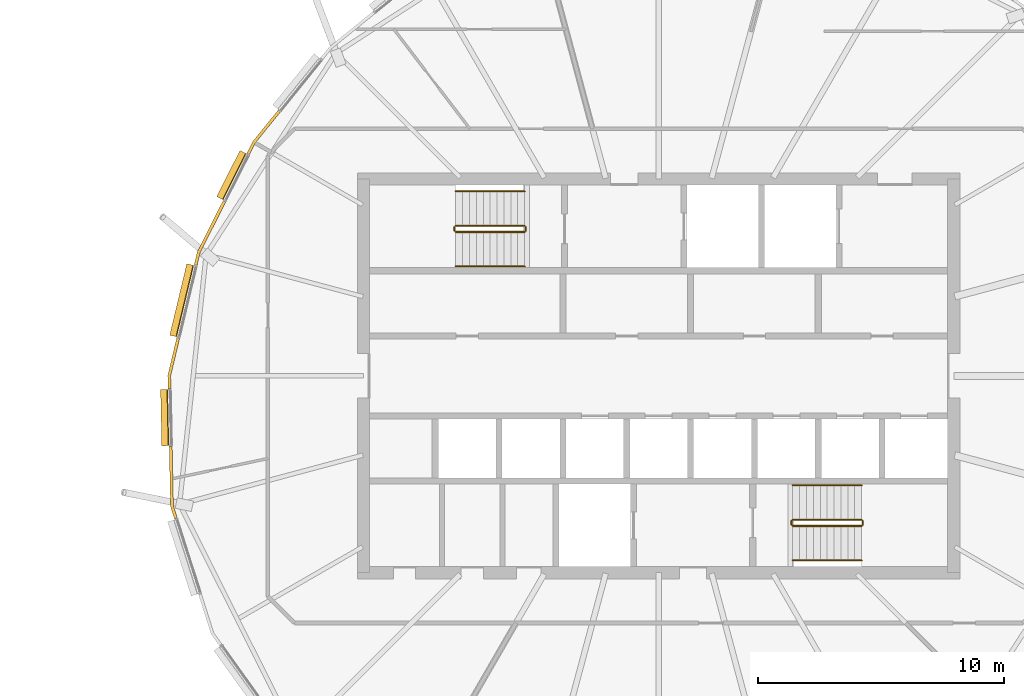
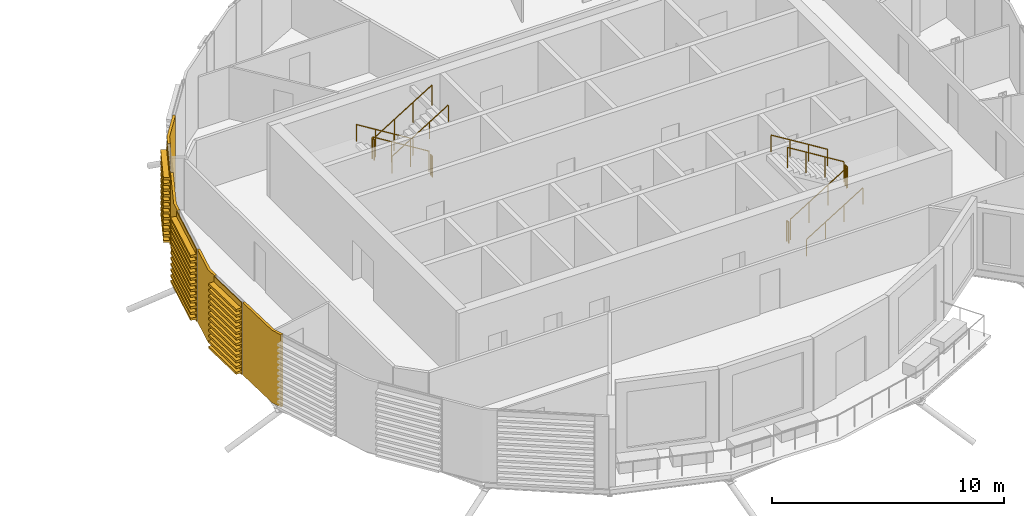
# One storey, part 38 of 41: 12 railings, 7 coverings.
"""IFC4 building model written with IfcOpenShell, lengths in metres."""

from ifc_helpers import new_model, si_unit, direction, frame, origin, origin_2d, place, context, subcontext, project, spatial, polyline, circle, outline, extrude, material, layer, layer_set, material_profile, profile_set, type_object, element, save


model = new_model("IFC4")

# Units and contexts
model_context = context("Model", 3, precision=1e-05, world=origin(), true_north=direction((0.0, 1.0)))
body_context = subcontext(model_context, "Body", "Model", "MODEL_VIEW")
ifc_project = project(units=[si_unit("LENGTHUNIT", "METRE"), si_unit("AREAUNIT", "SQUARE_METRE"), si_unit("VOLUMEUNIT", "CUBIC_METRE"), si_unit("PLANEANGLEUNIT", "RADIAN"), si_unit("MASSUNIT", "GRAM", prefix="KILO")], contexts=[model_context])

# Site, building, storey
site_placement = place(None, origin())
site = spatial("IfcSite", under=ifc_project, at=site_placement, CompositionType="ELEMENT")
building_placement = place(site_placement, origin())
building = spatial("IfcBuilding", under=site, at=building_placement, Name="Rimbun Link Towers", CompositionType="ELEMENT")
storey_placement = place(building_placement, frame((0.0, 0.0, 210.5)))
storey = spatial("IfcBuildingStorey", under=building, at=storey_placement, Name="L51", CompositionType="ELEMENT", Elevation=210.5)

# Coverings
ifc_material_1 = material(Name="Terracotta", Category="masonry")
ifc_layer = layer(ifc_material_1, 0.1201171875)
ifc_layer_set = layer_set([ifc_layer], Name="LINK PIER terracotta cladding 120")
covering_type_1 = type_object("IfcCoveringType", Name="LINK PIER terracotta cladding 120", PredefinedType="CLADDING", material=ifc_layer_set)
covering_1_placement = place(storey_placement, origin())
element("IfcCovering", 1, at=covering_1_placement, inside=storey, type_object=covering_type_1, Name="LINK PIER cladding", PredefinedType="CLADDING", context=body_context, shape_type="SweptSolid", body=[
    extrude(outline(polyline([(15.120361328125, 9.001708984375), (15.353759765625, 9.46630859375), (16.373046875, 10.7255859375), (16.27978515625, 10.801025390625), (15.252197265625, 9.53173828125), (15.01318359375, 9.0556640625), (15.120361328125, 9.001708984375)])), origin(), (0.0, 0.0, 1.0), 3.800048828125),
])
covering_2_placement = place(storey_placement, origin())
element("IfcCovering", 2, at=covering_2_placement, inside=storey, type_object=covering_type_1, Name="LINK PIER cladding", PredefinedType="CLADDING", context=body_context, shape_type="SweptSolid", body=[
    extrude(outline(polyline([(12.9873046875, 4.4892578125), (13.1083984375, 4.9951171875), (14.1494140625, 7.068359375), (14.042236328125, 7.1220703125), (12.994873046875, 5.036376953125), (12.87060546875, 4.51708984375), (12.9873046875, 4.4892578125)])), origin(), (0.0, 0.0, 1.0), 3.800048828125),
])
covering_3_placement = place(storey_placement, origin())
element("IfcCovering", 3, at=covering_3_placement, inside=storey, type_object=covering_type_1, Name="LINK PIER cladding", PredefinedType="CLADDING", context=body_context, shape_type="SweptSolid", body=[
    extrude(outline(polyline([(11.924560546875, -0.519775390625), (11.913818359375, 0.0), (12.27880859375, 1.52685546875), (12.162109375, 1.554931640625), (11.79345703125, 0.012939453125), (11.8046875, -0.5224609375), (11.924560546875, -0.519775390625)])), origin(), (0.0, 0.0, 1.0), 3.800048828125),
])
covering_4_placement = place(storey_placement, origin())
element("IfcCovering", 4, at=covering_4_placement, inside=storey, type_object=covering_type_1, Name="LINK PIER cladding", PredefinedType="CLADDING", context=body_context, shape_type="SweptSolid", body=[
    extrude(outline(polyline([(12.1826171875, -5.78076171875), (12.02490234375, -5.285400390625), (11.97412109375, -2.86572265625), (11.85400390625, -2.868408203125), (11.9052734375, -5.30517578125), (12.068359375, -5.817138671875), (12.1826171875, -5.78076171875)])), origin(), (0.0, 0.0, 1.0), 3.800048828125),
])

# Railings
ifc_material_2 = material(Name="Stainless steel grade 316", Category="steel")
railing_type_1 = type_object("IfcRailingType", Name="Stair guard", PredefinedType="GUARDRAIL", material=ifc_material_2)
railing_1_placement = place(storey_placement, frame((26.300048828125, 6.10009765625, 0.172607421875)))
element("IfcRailing", 5, at=railing_1_placement, inside=storey, type_object=railing_type_1, Name="L51 ST3 stair guard 1", PredefinedType="GUARDRAIL", context=body_context, shape_type="SweptSolid", body=[
    extrude(circle(Radius=0.02392578125, at=origin_2d()), frame((0.0, 0.0, 1.076171875), z_axis=(-0.851089632645, 0.0, 0.525020415988), x_axis=(0.0, -1.0, 0.0)), (0.0, 0.0, 1.0), 3.2900390625),
    extrude(circle(Radius=0.02099609375, at=origin_2d()), origin(), (0.0, 0.0, 1.0), 1.052001953125),
    extrude(circle(Radius=0.02099609375, at=origin_2d()), frame((-0.933349609375, 0.0, 0.57568359375)), (0.0, 0.0, 1.0), 1.052001953125),
    extrude(circle(Radius=0.02099609375, at=origin_2d()), frame((-1.86669921875, 0.0, 1.151611328125)), (0.0, 0.0, 1.0), 1.052001953125),
    extrude(circle(Radius=0.02099609375, at=origin_2d()), frame((-2.800048828125, 0.0, 1.727294921875)), (0.0, 0.0, 1.0), 1.052001953125),
])
railing_2_placement = place(storey_placement, frame((23.449951171875, 6.050048828125, 1.89990234375)))
element("IfcRailing", 6, at=railing_2_placement, inside=storey, type_object=railing_type_1, Name="L51 ST3 stair guard 2", PredefinedType="GUARDRAIL", context=body_context, shape_type="SweptSolid", body=[
    extrude(circle(Radius=0.02392578125, at=origin_2d()), frame((0.0, 0.0, 1.076171875), z_axis=(0.0, -1.0, 0.0), x_axis=(1.0, 0.0, 0.0)), (0.0, 0.0, 1.0), 0.150146484375),
    extrude(circle(Radius=0.02099609375, at=origin_2d()), origin(), (0.0, 0.0, 1.0), 1.052001953125),
    extrude(circle(Radius=0.02099609375, at=origin_2d()), frame((0.0, -0.150146484375, 0.0)), (0.0, 0.0, 1.0), 1.052001953125),
])
railing_3_placement = place(storey_placement, frame((23.5, 5.85009765625, 2.07275390625)))
element("IfcRailing", 7, at=railing_3_placement, inside=storey, type_object=railing_type_1, Name="L51 ST3 stair guard 3", PredefinedType="GUARDRAIL", context=body_context, shape_type="SweptSolid", body=[
    extrude(circle(Radius=0.02392578125, at=origin_2d()), frame((0.0, 0.0, 1.076171875), z_axis=(0.851089632645, 0.0, 0.525020415988), x_axis=(0.0, 1.0, 0.0)), (0.0, 0.0, 1.0), 3.2900390625),
    extrude(circle(Radius=0.02099609375, at=origin_2d()), origin(), (0.0, 0.0, 1.0), 1.052001953125),
    extrude(circle(Radius=0.02099609375, at=origin_2d()), frame((0.933349609375, 0.0, 0.57568359375)), (0.0, 0.0, 1.0), 1.052001953125),
    extrude(circle(Radius=0.02099609375, at=origin_2d()), frame((1.86669921875, 0.0, 1.151611328125)), (0.0, 0.0, 1.0), 1.052001953125),
    extrude(circle(Radius=0.02099609375, at=origin_2d()), frame((2.800048828125, 0.0, 1.727294921875)), (0.0, 0.0, 1.0), 1.052001953125),
])
railing_4_placement = place(storey_placement, frame((26.35009765625, 6.050048828125, 0.0)))
element("IfcRailing", 8, at=railing_4_placement, inside=storey, type_object=railing_type_1, Name="L51 ST3 stair guard 4", PredefinedType="GUARDRAIL", context=body_context, shape_type="SweptSolid", body=[
    extrude(circle(Radius=0.02392578125, at=origin_2d()), frame((0.0, 0.0, 1.076171875), z_axis=(0.0, -1.0, 0.0), x_axis=(1.0, 0.0, 0.0)), (0.0, 0.0, 1.0), 0.150146484375),
    extrude(circle(Radius=0.02099609375, at=origin_2d()), origin(), (0.0, 0.0, 1.0), 1.052001953125),
    extrude(circle(Radius=0.02099609375, at=origin_2d()), frame((0.0, -0.150146484375, 0.0)), (0.0, 0.0, 1.0), 1.052001953125),
])
railing_5_placement = place(storey_placement, frame((37.199951171875, -6.10009765625, 0.172607421875)))
element("IfcRailing", 9, at=railing_5_placement, inside=storey, type_object=railing_type_1, Name="L51 ST4 stair guard 1", PredefinedType="GUARDRAIL", context=body_context, shape_type="SweptSolid", body=[
    extrude(circle(Radius=0.02392578125, at=origin_2d()), frame((0.0, 0.0, 1.076171875), z_axis=(0.851089632645, 0.0, 0.525020415988), x_axis=(0.0, 1.0, 0.0)), (0.0, 0.0, 1.0), 3.2900390625),
    extrude(circle(Radius=0.02099609375, at=origin_2d()), origin(), (0.0, 0.0, 1.0), 1.052001953125),
    extrude(circle(Radius=0.02099609375, at=origin_2d()), frame((0.933349609375, 0.0, 0.57568359375)), (0.0, 0.0, 1.0), 1.052001953125),
    extrude(circle(Radius=0.02099609375, at=origin_2d()), frame((1.86669921875, 0.0, 1.151611328125)), (0.0, 0.0, 1.0), 1.052001953125),
    extrude(circle(Radius=0.02099609375, at=origin_2d()), frame((2.800048828125, 0.0, 1.727294921875)), (0.0, 0.0, 1.0), 1.052001953125),
])
railing_6_placement = place(storey_placement, frame((40.050048828125, -6.050048828125, 1.89990234375)))
element("IfcRailing", 10, at=railing_6_placement, inside=storey, type_object=railing_type_1, Name="L51 ST4 stair guard 2", PredefinedType="GUARDRAIL", context=body_context, shape_type="SweptSolid", body=[
    extrude(circle(Radius=0.02392578125, at=origin_2d()), frame((0.0, 0.0, 1.076171875), z_axis=(0.0, 1.0, 0.0), x_axis=(-1.0, 0.0, 0.0)), (0.0, 0.0, 1.0), 0.150146484375),
    extrude(circle(Radius=0.02099609375, at=origin_2d()), origin(), (0.0, 0.0, 1.0), 1.052001953125),
    extrude(circle(Radius=0.02099609375, at=origin_2d()), frame((0.0, 0.150146484375, 0.0)), (0.0, 0.0, 1.0), 1.052001953125),
])
railing_7_placement = place(storey_placement, frame((40.0, -5.85009765625, 2.07275390625)))
element("IfcRailing", 11, at=railing_7_placement, inside=storey, type_object=railing_type_1, Name="L51 ST4 stair guard 3", PredefinedType="GUARDRAIL", context=body_context, shape_type="SweptSolid", body=[
    extrude(circle(Radius=0.02392578125, at=origin_2d()), frame((0.0, 0.0, 1.076171875), z_axis=(-0.851089632645, 0.0, 0.525020415988), x_axis=(0.0, -1.0, 0.0)), (0.0, 0.0, 1.0), 3.2900390625),
    extrude(circle(Radius=0.02099609375, at=origin_2d()), origin(), (0.0, 0.0, 1.0), 1.052001953125),
    extrude(circle(Radius=0.02099609375, at=origin_2d()), frame((-0.933349609375, 0.0, 0.57568359375)), (0.0, 0.0, 1.0), 1.052001953125),
    extrude(circle(Radius=0.02099609375, at=origin_2d()), frame((-1.86669921875, 0.0, 1.151611328125)), (0.0, 0.0, 1.0), 1.052001953125),
    extrude(circle(Radius=0.02099609375, at=origin_2d()), frame((-2.800048828125, 0.0, 1.727294921875)), (0.0, 0.0, 1.0), 1.052001953125),
])
railing_8_placement = place(storey_placement, frame((37.14990234375, -6.050048828125, 0.0)))
element("IfcRailing", 12, at=railing_8_placement, inside=storey, type_object=railing_type_1, Name="L51 ST4 stair guard 4", PredefinedType="GUARDRAIL", context=body_context, shape_type="SweptSolid", body=[
    extrude(circle(Radius=0.02392578125, at=origin_2d()), frame((0.0, 0.0, 1.076171875), z_axis=(0.0, 1.0, 0.0), x_axis=(-1.0, 0.0, 0.0)), (0.0, 0.0, 1.0), 0.150146484375),
    extrude(circle(Radius=0.02099609375, at=origin_2d()), origin(), (0.0, 0.0, 1.0), 1.052001953125),
    extrude(circle(Radius=0.02099609375, at=origin_2d()), frame((0.0, 0.150146484375, 0.0)), (0.0, 0.0, 1.0), 1.052001953125),
])
ifc_material_3 = material(Name="Stainless steel grade 316", Category="steel")
railing_type_2 = type_object("IfcRailingType", Name="Stair handrail", PredefinedType="HANDRAIL", material=ifc_material_3)
railing_9_placement = place(storey_placement, frame((26.300048828125, 7.5, 0.172607421875)))
element("IfcRailing", 13, at=railing_9_placement, inside=storey, type_object=railing_type_2, Name="L51 ST3 stair handrail 1", PredefinedType="HANDRAIL", context=body_context, shape_type="SweptSolid", body=[
    extrude(circle(Radius=0.02392578125, at=origin_2d()), frame((0.0, 0.0, 0.8759765625), z_axis=(-0.851089632645, 0.0, 0.525020415988), x_axis=(0.0, -1.0, 0.0)), (0.0, 0.0, 1.0), 3.2900390625),
    extrude(circle(Radius=0.02099609375, at=origin_2d()), origin(), (0.0, 0.0, 1.0), 0.851806640625),
    extrude(circle(Radius=0.02099609375, at=origin_2d()), frame((-0.933349609375, 0.0, 0.57568359375)), (0.0, 0.0, 1.0), 0.851806640625),
    extrude(circle(Radius=0.02099609375, at=origin_2d()), frame((-1.86669921875, 0.0, 1.151611328125)), (0.0, 0.0, 1.0), 0.851806640625),
    extrude(circle(Radius=0.02099609375, at=origin_2d()), frame((-2.800048828125, 0.0, 1.727294921875)), (0.0, 0.0, 1.0), 0.851806640625),
])
for number, where, name in (
    (14, (23.5, 4.449951171875, 2.07275390625), "L51 ST3 stair handrail 2"),
    (15, (37.199951171875, -7.5, 0.172607421875), "L51 ST4 stair handrail 1"),
):
    element("IfcRailing", number, at=place(storey_placement, frame(where)), inside=storey, type_object=railing_type_2, Name=name, PredefinedType="HANDRAIL", context=body_context, shape_type="SweptSolid", body=[
        extrude(circle(Radius=0.02392578125, at=origin_2d()), frame((0.0, 0.0, 0.8759765625), z_axis=(0.851089632645, 0.0, 0.525020415988), x_axis=(0.0, 1.0, 0.0)), (0.0, 0.0, 1.0), 3.2900390625),
        extrude(circle(Radius=0.02099609375, at=origin_2d()), origin(), (0.0, 0.0, 1.0), 0.851806640625),
        extrude(circle(Radius=0.02099609375, at=origin_2d()), frame((0.933349609375, 0.0, 0.57568359375)), (0.0, 0.0, 1.0), 0.851806640625),
        extrude(circle(Radius=0.02099609375, at=origin_2d()), frame((1.86669921875, 0.0, 1.151611328125)), (0.0, 0.0, 1.0), 0.851806640625),
        extrude(circle(Radius=0.02099609375, at=origin_2d()), frame((2.800048828125, 0.0, 1.727294921875)), (0.0, 0.0, 1.0), 0.851806640625),
    ])
railing_10_placement = place(storey_placement, frame((40.0, -4.449951171875, 2.07275390625)))
element("IfcRailing", 16, at=railing_10_placement, inside=storey, type_object=railing_type_2, Name="L51 ST4 stair handrail 2", PredefinedType="HANDRAIL", context=body_context, shape_type="SweptSolid", body=[
    extrude(circle(Radius=0.02392578125, at=origin_2d()), frame((0.0, 0.0, 0.8759765625), z_axis=(-0.851089632645, 0.0, 0.525020415988), x_axis=(0.0, -1.0, 0.0)), (0.0, 0.0, 1.0), 3.2900390625),
    extrude(circle(Radius=0.02099609375, at=origin_2d()), origin(), (0.0, 0.0, 1.0), 0.851806640625),
    extrude(circle(Radius=0.02099609375, at=origin_2d()), frame((-0.933349609375, 0.0, 0.57568359375)), (0.0, 0.0, 1.0), 0.851806640625),
    extrude(circle(Radius=0.02099609375, at=origin_2d()), frame((-1.86669921875, 0.0, 1.151611328125)), (0.0, 0.0, 1.0), 0.851806640625),
    extrude(circle(Radius=0.02099609375, at=origin_2d()), frame((-2.800048828125, 0.0, 1.727294921875)), (0.0, 0.0, 1.0), 0.851806640625),
])

# Coverings
ifc_material_4 = material(Name="Terracotta", Category="masonry")
ifc_material_profile = material_profile(ifc_material_4, outline(polyline([(0.123046875, 0.0), (0.1630859375, 0.0), (0.1630859375, 0.10009765625), (0.423095703125, 0.10009765625), (0.423095703125, 0.219970703125), (0.1630859375, 0.219970703125), (0.1630859375, 0.39990234375), (0.423095703125, 0.39990234375), (0.423095703125, 0.52001953125), (0.1630859375, 0.52001953125), (0.1630859375, 0.699951171875), (0.423095703125, 0.699951171875), (0.423095703125, 0.820068359375), (0.1630859375, 0.820068359375), (0.1630859375, 1.0), (0.423095703125, 1.0), (0.423095703125, 1.1201171875), (0.1630859375, 1.1201171875), (0.1630859375, 1.300048828125), (0.423095703125, 1.300048828125), (0.423095703125, 1.419921875), (0.1630859375, 1.419921875), (0.1630859375, 1.60009765625), (0.423095703125, 1.60009765625), (0.423095703125, 1.719970703125), (0.1630859375, 1.719970703125), (0.1630859375, 1.89990234375), (0.423095703125, 1.89990234375), (0.423095703125, 2.02001953125), (0.1630859375, 2.02001953125), (0.1630859375, 2.199951171875), (0.423095703125, 2.199951171875), (0.423095703125, 2.320068359375), (0.1630859375, 2.320068359375), (0.1630859375, 2.5), (0.423095703125, 2.5), (0.423095703125, 2.6201171875), (0.1630859375, 2.6201171875), (0.1630859375, 2.800048828125), (0.423095703125, 2.800048828125), (0.423095703125, 2.919921875), (0.1630859375, 2.919921875), (0.1630859375, 3.10009765625), (0.423095703125, 3.10009765625), (0.423095703125, 3.219970703125), (0.1630859375, 3.219970703125), (0.1630859375, 3.39990234375), (0.423095703125, 3.39990234375), (0.423095703125, 3.52001953125), (0.1630859375, 3.52001953125), (0.1630859375, 3.800048828125), (0.123046875, 3.800048828125), (0.123046875, 0.0)])), Name="BAGUETTE 120X300")
ifc_profile_set = profile_set([ifc_material_profile], Name="Terracotta")
covering_type_2 = type_object("IfcCoveringType", Name="TERRACOTTA BAGUETTE 120X300 H3800", PredefinedType="CLADDING", material=ifc_profile_set)
covering_5_placement = place(storey_placement, frame((14.162841796875, 7.094970703125, 0.0), z_axis=(0.448791270333, 0.893636612765, 0.0), x_axis=(-0.893636612765, 0.448791270333, 0.0)))
element("IfcCovering", 17, at=covering_5_placement, inside=storey, type_object=covering_type_2, Name="TERRACOTTA BAGUETTE", PredefinedType="CLADDING", context=body_context, shape_type="SweptSolid", body=[
    extrude(outline(polyline([(0.123046875, 0.0), (0.1630859375, 0.0), (0.1630859375, 0.10009765625), (0.423095703125, 0.10009765625), (0.423095703125, 0.219970703125), (0.1630859375, 0.219970703125), (0.1630859375, 0.39990234375), (0.423095703125, 0.39990234375), (0.423095703125, 0.52001953125), (0.1630859375, 0.52001953125), (0.1630859375, 0.699951171875), (0.423095703125, 0.699951171875), (0.423095703125, 0.820068359375), (0.1630859375, 0.820068359375), (0.1630859375, 1.0), (0.423095703125, 1.0), (0.423095703125, 1.1201171875), (0.1630859375, 1.1201171875), (0.1630859375, 1.300048828125), (0.423095703125, 1.300048828125), (0.423095703125, 1.419921875), (0.1630859375, 1.419921875), (0.1630859375, 1.60009765625), (0.423095703125, 1.60009765625), (0.423095703125, 1.719970703125), (0.1630859375, 1.719970703125), (0.1630859375, 1.89990234375), (0.423095703125, 1.89990234375), (0.423095703125, 2.02001953125), (0.1630859375, 2.02001953125), (0.1630859375, 2.199951171875), (0.423095703125, 2.199951171875), (0.423095703125, 2.320068359375), (0.1630859375, 2.320068359375), (0.1630859375, 2.5), (0.423095703125, 2.5), (0.423095703125, 2.6201171875), (0.1630859375, 2.6201171875), (0.1630859375, 2.800048828125), (0.423095703125, 2.800048828125), (0.423095703125, 2.919921875), (0.1630859375, 2.919921875), (0.1630859375, 3.10009765625), (0.423095703125, 3.10009765625), (0.423095703125, 3.219970703125), (0.1630859375, 3.219970703125), (0.1630859375, 3.39990234375), (0.423095703125, 3.39990234375), (0.423095703125, 3.52001953125), (0.1630859375, 3.52001953125), (0.1630859375, 3.800048828125), (0.123046875, 3.800048828125), (0.123046875, 0.0)])), origin(), (0.0, 0.0, 1.0), 2.103515625),
])
covering_6_placement = place(storey_placement, frame((12.285888671875, 1.55615234375, 0.0), z_axis=(0.23261524575, 0.972568839437, 0.0), x_axis=(-0.972568839437, 0.23261524575, 0.0)))
element("IfcCovering", 18, at=covering_6_placement, inside=storey, type_object=covering_type_2, Name="TERRACOTTA BAGUETTE", PredefinedType="CLADDING", context=body_context, shape_type="SweptSolid", body=[
    extrude(outline(polyline([(0.123046875, 0.0), (0.1630859375, 0.0), (0.1630859375, 0.10009765625), (0.423095703125, 0.10009765625), (0.423095703125, 0.219970703125), (0.1630859375, 0.219970703125), (0.1630859375, 0.39990234375), (0.423095703125, 0.39990234375), (0.423095703125, 0.52001953125), (0.1630859375, 0.52001953125), (0.1630859375, 0.699951171875), (0.423095703125, 0.699951171875), (0.423095703125, 0.820068359375), (0.1630859375, 0.820068359375), (0.1630859375, 1.0), (0.423095703125, 1.0), (0.423095703125, 1.1201171875), (0.1630859375, 1.1201171875), (0.1630859375, 1.300048828125), (0.423095703125, 1.300048828125), (0.423095703125, 1.419921875), (0.1630859375, 1.419921875), (0.1630859375, 1.60009765625), (0.423095703125, 1.60009765625), (0.423095703125, 1.719970703125), (0.1630859375, 1.719970703125), (0.1630859375, 1.89990234375), (0.423095703125, 1.89990234375), (0.423095703125, 2.02001953125), (0.1630859375, 2.02001953125), (0.1630859375, 2.199951171875), (0.423095703125, 2.199951171875), (0.423095703125, 2.320068359375), (0.1630859375, 2.320068359375), (0.1630859375, 2.5), (0.423095703125, 2.5), (0.423095703125, 2.6201171875), (0.1630859375, 2.6201171875), (0.1630859375, 2.800048828125), (0.423095703125, 2.800048828125), (0.423095703125, 2.919921875), (0.1630859375, 2.919921875), (0.1630859375, 3.10009765625), (0.423095703125, 3.10009765625), (0.423095703125, 3.219970703125), (0.1630859375, 3.219970703125), (0.1630859375, 3.39990234375), (0.423095703125, 3.39990234375), (0.423095703125, 3.52001953125), (0.1630859375, 3.52001953125), (0.1630859375, 3.800048828125), (0.123046875, 3.800048828125), (0.123046875, 0.0)])), origin(), (0.0, 0.0, 1.0), 2.98583984375),
])
covering_7_placement = place(storey_placement, frame((11.973388671875, -2.8359375, 0.0), z_axis=(-0.021033363792, 0.999778774333, 0.0), x_axis=(-0.999778774333, -0.021033363792, 0.0)))
element("IfcCovering", 19, at=covering_7_placement, inside=storey, type_object=covering_type_2, Name="TERRACOTTA BAGUETTE", PredefinedType="CLADDING", context=body_context, shape_type="SweptSolid", body=[
    extrude(outline(polyline([(0.123046875, 0.0), (0.1630859375, 0.0), (0.1630859375, 0.10009765625), (0.423095703125, 0.10009765625), (0.423095703125, 0.219970703125), (0.1630859375, 0.219970703125), (0.1630859375, 0.39990234375), (0.423095703125, 0.39990234375), (0.423095703125, 0.52001953125), (0.1630859375, 0.52001953125), (0.1630859375, 0.699951171875), (0.423095703125, 0.699951171875), (0.423095703125, 0.820068359375), (0.1630859375, 0.820068359375), (0.1630859375, 1.0), (0.423095703125, 1.0), (0.423095703125, 1.1201171875), (0.1630859375, 1.1201171875), (0.1630859375, 1.300048828125), (0.423095703125, 1.300048828125), (0.423095703125, 1.419921875), (0.1630859375, 1.419921875), (0.1630859375, 1.60009765625), (0.423095703125, 1.60009765625), (0.423095703125, 1.719970703125), (0.1630859375, 1.719970703125), (0.1630859375, 1.89990234375), (0.423095703125, 1.89990234375), (0.423095703125, 2.02001953125), (0.1630859375, 2.02001953125), (0.1630859375, 2.199951171875), (0.423095703125, 2.199951171875), (0.423095703125, 2.320068359375), (0.1630859375, 2.320068359375), (0.1630859375, 2.5), (0.423095703125, 2.5), (0.423095703125, 2.6201171875), (0.1630859375, 2.6201171875), (0.1630859375, 2.800048828125), (0.423095703125, 2.800048828125), (0.423095703125, 2.919921875), (0.1630859375, 2.919921875), (0.1630859375, 3.10009765625), (0.423095703125, 3.10009765625), (0.423095703125, 3.219970703125), (0.1630859375, 3.219970703125), (0.1630859375, 3.39990234375), (0.423095703125, 3.39990234375), (0.423095703125, 3.52001953125), (0.1630859375, 3.52001953125), (0.1630859375, 3.800048828125), (0.123046875, 3.800048828125), (0.123046875, 0.0)])), origin(), (0.0, 0.0, 1.0), 2.28662109375),
])

save(model, "model.ifc")
